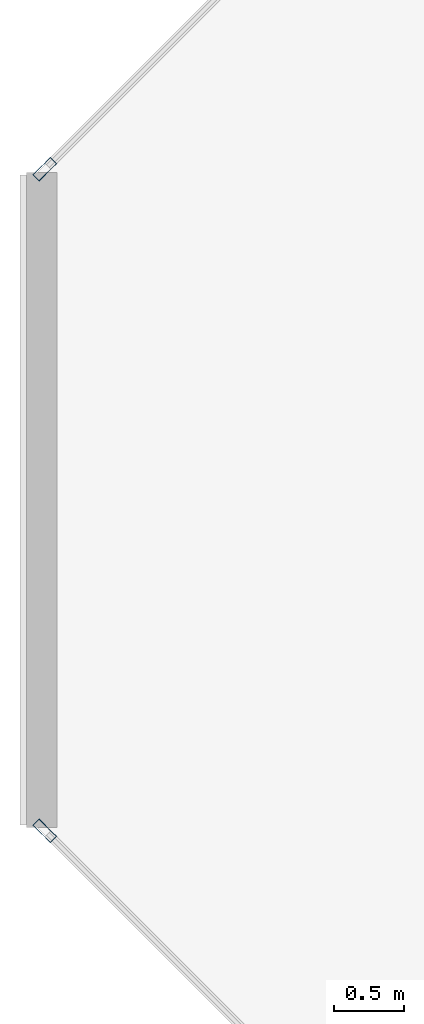
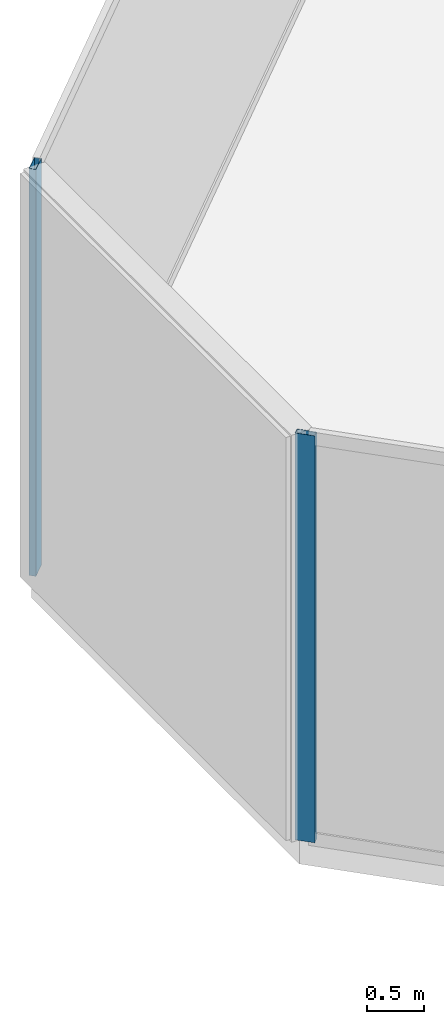
# One storey, part 4 of 16: 2 members, 2 elements without a shape of their own.
"""IFC4 building model written with IfcOpenShell, lengths in metres."""

from ifc_helpers import new_model, si_unit, direction, frame, origin, origin_2d, place, context, subcontext, project, spatial, hollow_rectangle, extrude, material, layer, layer_set, material_profile, profile_set, type_object, element, aggregate, save


model = new_model("IFC4")

# Units and contexts
model_context = context("Model", 3, precision=1e-05, world=origin(), true_north=direction((0.0, 1.0)))
body_context = subcontext(model_context, "Body", "Model", "MODEL_VIEW")
ifc_project = project(units=[si_unit("LENGTHUNIT", "METRE"), si_unit("AREAUNIT", "SQUARE_METRE"), si_unit("VOLUMEUNIT", "CUBIC_METRE"), si_unit("PLANEANGLEUNIT", "RADIAN"), si_unit("MASSUNIT", "GRAM", prefix="KILO")], contexts=[model_context])

# Site, building, storey
site_placement = place(None, origin())
site = spatial("IfcSite", under=ifc_project, at=site_placement, CompositionType="ELEMENT")
building_placement = place(site_placement, origin())
building = spatial("IfcBuilding", under=site, at=building_placement, Name="Tanjung Sevakor Pilgrim Tower", CompositionType="ELEMENT")
storey_placement = place(building_placement, frame((0.0, 0.0, 283.139892578125)))
storey = spatial("IfcBuildingStorey", under=building, at=storey_placement, Name="L79", CompositionType="ELEMENT", Elevation=283.139892578125)

# Curtain wall, member
ifc_material_1 = material(Name="Aluminium 6063-T6 and Low-E Glass", Category="aluminium")
ifc_layer = layer(ifc_material_1, 0.179931640625)
ifc_layer_set = layer_set([ifc_layer], Name="CW-SYS-CHAM")
curtain_wall_type = type_object("IfcCurtainWallType", Name="CW-SYS-CHAM", PredefinedType="NOTDEFINED", material=ifc_layer_set)
curtain_wall_1_placement = place(storey_placement, origin())
curtain_wall_1 = element("IfcCurtainWall", 1, at=curtain_wall_1_placement, inside=storey, type_object=curtain_wall_type, Name="L79 Curtain Wall CW-CHM-L79-EAST-5", PredefinedType="NOTDEFINED")
ifc_material_2 = material(Name="Aluminium 6063-T6", Category="aluminium")
ifc_material_profile = material_profile(ifc_material_2, hollow_rectangle(XDim=0.06494140625, YDim=0.179931640625, WallThickness=0.00390625, at=origin_2d()))
ifc_profile_set = profile_set([ifc_material_profile], Name="Aluminium 6063-T6")
member_type = type_object("IfcMemberType", Name="TYPE-CWM-1", PredefinedType="MULLION", material=ifc_profile_set)
member_1_placement = place(storey_placement, frame((52.23291015625, 35.977294921875, 0.0), z_axis=(0.0, 0.0, 1.0), x_axis=(0.707106781187, -0.707106781187, 0.0)))
member_1 = element("IfcMember", 2, at=member_1_placement, type_object=member_type, Name="CW-CHM mullion 2", PredefinedType="MULLION", context=body_context, shape_type="SweptSolid", body=[
    extrude(hollow_rectangle(XDim=0.06494140625, YDim=0.179931640625, WallThickness=0.00390625, at=origin_2d()), origin(), (0.0, 0.0, 1.0), 4.360107421875),
])
aggregate(curtain_wall_1, [member_1])

curtain_wall_2_placement = place(storey_placement, origin())
curtain_wall_2 = element("IfcCurtainWall", 3, at=curtain_wall_2_placement, inside=storey, type_object=curtain_wall_type, Name="L79 Curtain Wall CW-CHM-L79-EAST-7", PredefinedType="NOTDEFINED")
member_2_placement = place(storey_placement, frame((52.23291015625, 31.22265625, 0.0), z_axis=(0.0, 0.0, 1.0), x_axis=(0.707106781187, 0.707106781187, 0.0)))
member_2 = element("IfcMember", 4, at=member_2_placement, type_object=member_type, Name="CW-CHM mullion 1", PredefinedType="MULLION", context=body_context, shape_type="SweptSolid", body=[
    extrude(hollow_rectangle(XDim=0.06494140625, YDim=0.179931640625, WallThickness=0.00390625, at=origin_2d()), origin(), (0.0, 0.0, 1.0), 4.360107421875),
])
aggregate(curtain_wall_2, [member_2])

save(model, "model.ifc")
